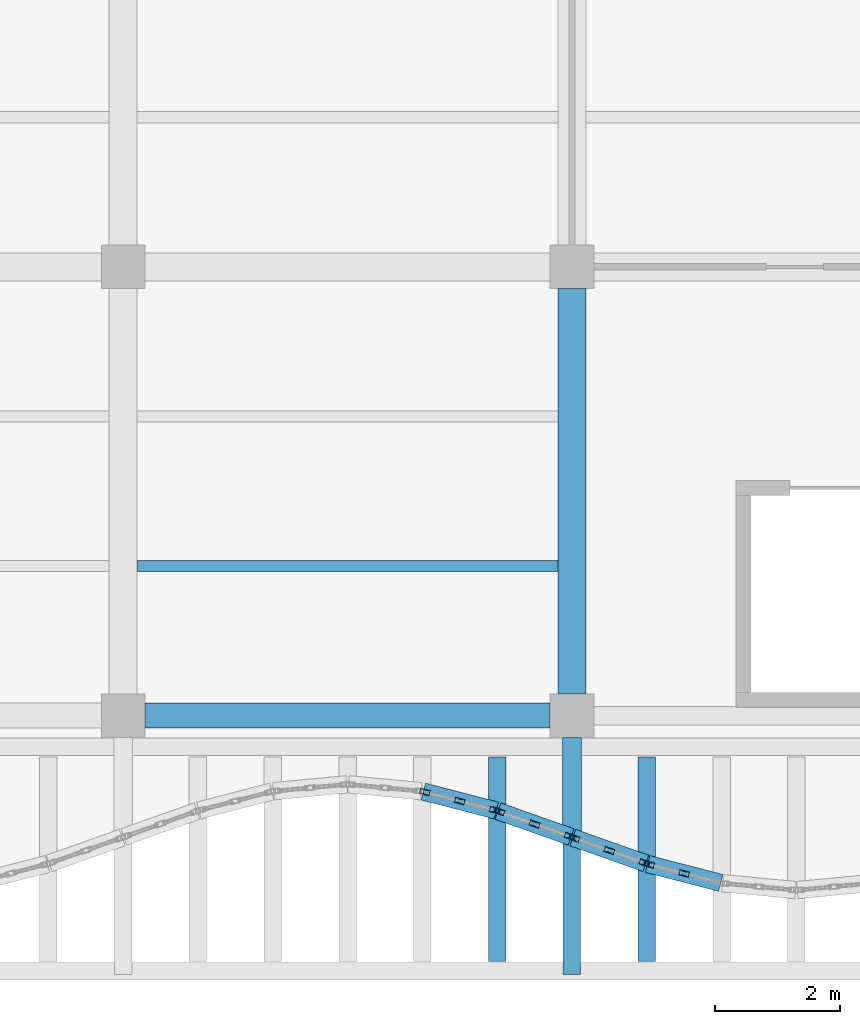
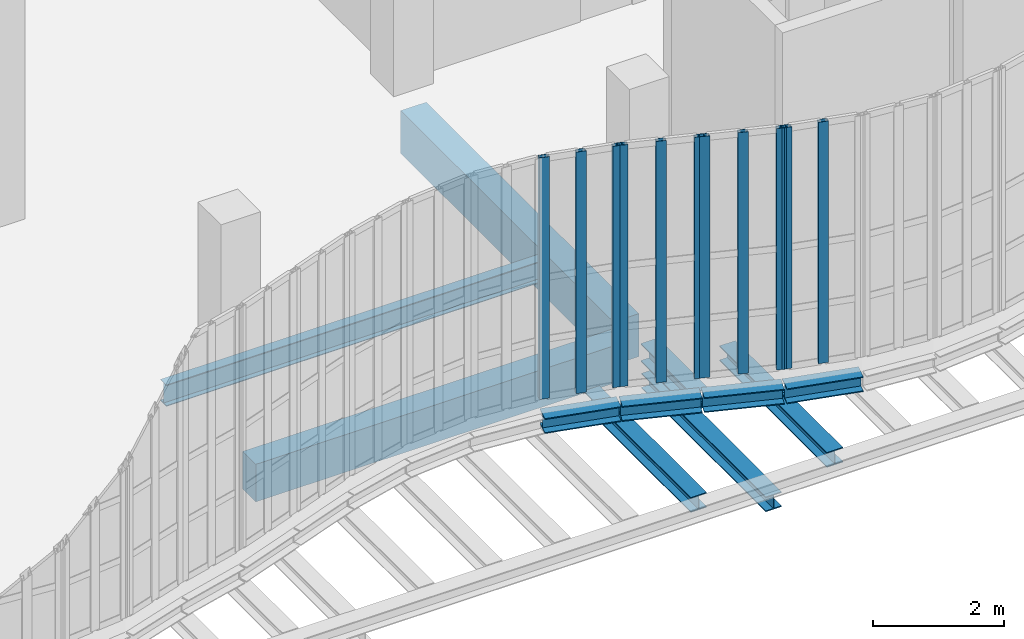
# One storey, part 34 of 108: 11 beams, 11 members, 4 elements without a shape of their own.
"""IFC4 building model written with IfcOpenShell, lengths in metres."""

from ifc_helpers import new_model, si_unit, direction, frame, origin, origin_2d, place, context, subcontext, project, spatial, rectangle, hollow_rectangle, i_section, extrude, material, layer, layer_set, material_profile, profile_set, type_object, element, aggregate, save


model = new_model("IFC4")

# Units and contexts
model_context = context("Model", 3, precision=1e-05, world=origin(), true_north=direction((0.0, 1.0)))
body_context = subcontext(model_context, "Body", "Model", "MODEL_VIEW")
ifc_project = project(units=[si_unit("LENGTHUNIT", "METRE"), si_unit("AREAUNIT", "SQUARE_METRE"), si_unit("VOLUMEUNIT", "CUBIC_METRE"), si_unit("PLANEANGLEUNIT", "RADIAN"), si_unit("MASSUNIT", "GRAM", prefix="KILO"), si_unit("THERMODYNAMICTEMPERATUREUNIT", "KELVIN"), si_unit("POWERUNIT", "WATT")], contexts=[model_context])

# Site, building, storey
site_placement = place(None, origin())
site = spatial("IfcSite", under=ifc_project, at=site_placement, CompositionType="ELEMENT")
building_placement = place(site_placement, origin())
building = spatial("IfcBuilding", under=site, at=building_placement, Name="Kaldorven Railside Theatre", CompositionType="ELEMENT")
storey_placement = place(building_placement, frame((0.0, 0.0, 5.39990234375)))
storey = spatial("IfcBuildingStorey", under=building, at=storey_placement, Name="L01", CompositionType="ELEMENT", Elevation=5.39990234375)

# Beams
ifc_material_1 = material(Name="Steel S355", Category="steel")
ifc_material_profile_1 = material_profile(ifc_material_1, i_section(OverallWidth=0.280029296875, OverallDepth=0.280029296875, WebThickness=0.010498046875, FlangeThickness=0.01806640625, at=origin_2d()), Name="HEB 280")
ifc_profile_set_1 = profile_set([ifc_material_profile_1], Name="Steel S355")
beam_type_1 = type_object("IfcBeamType", Name="BM-HEB280", PredefinedType="SPANDREL", material=ifc_profile_set_1)
beam_1_placement = place(storey_placement, frame((101.60009765625, 15.050048828125, -1.0), z_axis=(0.0, 1.0, 0.0), x_axis=(-1.0, 0.0, 0.0)))
element("IfcBeam", 1, at=beam_1_placement, inside=storey, type_object=beam_type_1, Name="L01 Sinusoidal Lower Cantilever Girder FOB-K009", PredefinedType="SPANDREL", context=body_context, shape_type="SweptSolid", body=[
    extrude(i_section(OverallWidth=0.280029296875, OverallDepth=0.280029296875, WebThickness=0.010498046875, FlangeThickness=0.01806640625, at=origin_2d()), origin(), (0.0, 0.0, 1.0), 3.800048828125),
])
beam_2_placement = place(storey_placement, frame((99.214599609375, 17.982421875, -0.43994140625), z_axis=(0.967967836725, -0.251074226206, 0.0), x_axis=(0.251074226206, 0.967967836725, 0.0)))
element("IfcBeam", 2, at=beam_2_placement, inside=storey, type_object=beam_type_1, Name="L01 Sinusoidal Flute Edge Spandrel FSB-053", PredefinedType="SPANDREL", context=body_context, shape_type="SweptSolid", body=[
    extrude(i_section(OverallWidth=0.280029296875, OverallDepth=0.280029296875, WebThickness=0.010498046875, FlangeThickness=0.01806640625, at=origin_2d()), origin(), (0.0, 0.0, 1.0), 1.209716796875),
])
beam_3_placement = place(storey_placement, frame((100.4140625, 17.669921875, -0.43994140625), z_axis=(0.942627225161, -0.333847142245, 0.0), x_axis=(0.333847142245, 0.942627225161, 0.0)))
element("IfcBeam", 3, at=beam_3_placement, inside=storey, type_object=beam_type_1, Name="L01 Sinusoidal Flute Edge Spandrel FSB-054", PredefinedType="SPANDREL", context=body_context, shape_type="SweptSolid", body=[
    extrude(i_section(OverallWidth=0.280029296875, OverallDepth=0.280029296875, WebThickness=0.010498046875, FlangeThickness=0.01806640625, at=origin_2d()), origin(), (0.0, 0.0, 1.0), 1.2431640625),
])
beam_4_placement = place(storey_placement, frame((100.39990234375, 15.260009765625, -0.719970703125), z_axis=(0.0, 1.0, 0.0), x_axis=(-1.0, 0.0, 0.0)))
element("IfcBeam", 4, at=beam_4_placement, inside=storey, type_object=beam_type_1, Name="L01 Sinusoidal Diaphragm Rib Outrigger FOB-M054", PredefinedType="SPANDREL", context=body_context, shape_type="SweptSolid", body=[
    extrude(i_section(OverallWidth=0.280029296875, OverallDepth=0.280029296875, WebThickness=0.010498046875, FlangeThickness=0.01806640625, at=origin_2d()), origin(), (0.0, 0.0, 1.0), 3.280029296875),
])
beam_5_placement = place(storey_placement, frame((101.614013671875, 17.2451171875, -0.43994140625), z_axis=(0.942627225161, -0.333847142245, 0.0), x_axis=(0.333847142245, 0.942627225161, 0.0)))
element("IfcBeam", 5, at=beam_5_placement, inside=storey, type_object=beam_type_1, Name="L01 Sinusoidal Flute Edge Spandrel FSB-055", PredefinedType="SPANDREL", context=body_context, shape_type="SweptSolid", body=[
    extrude(i_section(OverallWidth=0.280029296875, OverallDepth=0.280029296875, WebThickness=0.010498046875, FlangeThickness=0.01806640625, at=origin_2d()), origin(), (0.0, 0.0, 1.0), 1.2431640625),
])
beam_6_placement = place(storey_placement, frame((102.814453125, 16.8212890625, -0.43994140625), z_axis=(0.967980555895, -0.25102518481, 0.0), x_axis=(0.25102518481, 0.967980555895, 0.0)))
element("IfcBeam", 6, at=beam_6_placement, inside=storey, type_object=beam_type_1, Name="L01 Sinusoidal Flute Edge Spandrel FSB-056", PredefinedType="SPANDREL", context=body_context, shape_type="SweptSolid", body=[
    extrude(i_section(OverallWidth=0.280029296875, OverallDepth=0.280029296875, WebThickness=0.010498046875, FlangeThickness=0.01806640625, at=origin_2d()), origin(), (0.0, 0.0, 1.0), 1.2099609375),
])
beam_7_placement = place(storey_placement, frame((102.800048828125, 15.260009765625, -0.719970703125), z_axis=(0.0, 1.0, 0.0), x_axis=(-1.0, 0.0, 0.0)))
element("IfcBeam", 7, at=beam_7_placement, inside=storey, type_object=beam_type_1, Name="L01 Sinusoidal Diaphragm Rib Outrigger FOB-M056", PredefinedType="SPANDREL", context=body_context, shape_type="SweptSolid", body=[
    extrude(i_section(OverallWidth=0.280029296875, OverallDepth=0.280029296875, WebThickness=0.010498046875, FlangeThickness=0.01806640625, at=origin_2d()), origin(), (0.0, 0.0, 1.0), 3.280029296875),
])
ifc_material_profile_2 = material_profile(ifc_material_1, i_section(OverallWidth=0.300048828125, OverallDepth=0.340087890625, WebThickness=0.011962890625, FlangeThickness=0.021484375, at=origin_2d()), Name="HEB 340")
ifc_profile_set_2 = profile_set([ifc_material_profile_2], Name="Steel S355")
beam_type_2 = type_object("IfcBeamType", Name="BM-HEB340", PredefinedType="SPANDREL", material=ifc_profile_set_2)
beam_8_placement = place(storey_placement, frame((101.60009765625, 17.31005859375, -0.469970703125), z_axis=(0.0, 1.0, 0.0), x_axis=(-1.0, 0.0, 0.0)))
element("IfcBeam", 8, at=beam_8_placement, inside=storey, type_object=beam_type_2, Name="L01 Sinusoidal Veil Outrigger FOB-1101", PredefinedType="SPANDREL", context=body_context, shape_type="SweptSolid", body=[
    extrude(i_section(OverallWidth=0.300048828125, OverallDepth=0.340087890625, WebThickness=0.011962890625, FlangeThickness=0.021484375, at=origin_2d()), origin(), (0.0, 0.0, 1.0), 1.5400390625),
])
ifc_material_profile_3 = material_profile(ifc_material_1, i_section(OverallWidth=0.179931640625, OverallDepth=0.39990234375, WebThickness=0.008544921875, FlangeThickness=0.013427734375, at=origin_2d()), Name="IPE 400")
ifc_profile_set_3 = profile_set([ifc_material_profile_3], Name="Steel S355")
beam_type_3 = type_object("IfcBeamType", Name="BM-IPE400", PredefinedType="JOIST", material=ifc_profile_set_3)
beam_9_placement = place(storey_placement, frame((94.625, 21.60009765625, -0.5), z_axis=(1.0, 0.0, 0.0), x_axis=(0.0, 1.0, 0.0)))
element("IfcBeam", 9, at=beam_9_placement, inside=storey, type_object=beam_type_3, Name="L01 Secondary Floor Joist JG-L01-094-0216", PredefinedType="JOIST", context=body_context, shape_type="SweptSolid", body=[
    extrude(i_section(OverallWidth=0.179931640625, OverallDepth=0.39990234375, WebThickness=0.008544921875, FlangeThickness=0.013427734375, at=origin_2d()), origin(), (0.0, 0.0, 1.0), 6.75),
])
ifc_material_2 = material(Name="Concrete C40/50", Category="concrete")
ifc_material_profile_4 = material_profile(ifc_material_2, rectangle(XDim=0.39990234375, YDim=0.699951171875, at=origin_2d()), Name="RC 400x700")
ifc_profile_set_4 = profile_set([ifc_material_profile_4], Name="Concrete C40/50")
beam_type_4 = type_object("IfcBeamType", Name="BM-RC400x700", PredefinedType="BEAM", material=ifc_profile_set_4)
beam_10_placement = place(storey_placement, frame((94.75, 19.199951171875, -0.64990234375), z_axis=(1.0, 0.0, 0.0), x_axis=(0.0, 1.0, 0.0)))
element("IfcBeam", 10, at=beam_10_placement, inside=storey, type_object=beam_type_4, Name="L01 Girder BGX-L01-094-019", PredefinedType="BEAM", context=body_context, shape_type="SweptSolid", body=[
    extrude(rectangle(XDim=0.39990234375, YDim=0.699951171875, at=origin_2d()), origin(), (0.0, 0.0, 1.0), 6.5),
])
ifc_material_profile_5 = material_profile(ifc_material_2, rectangle(XDim=0.449951171875, YDim=0.800048828125, at=origin_2d()), Name="RC 450x800")
ifc_profile_set_5 = profile_set([ifc_material_profile_5], Name="Concrete C40/50")
beam_type_5 = type_object("IfcBeamType", Name="BM-RC450x800", PredefinedType="BEAM", material=ifc_profile_set_5)
beam_11_placement = place(storey_placement, frame((101.60009765625, 19.550048828125, -0.699951171875), z_axis=(0.0, 1.0, 0.0), x_axis=(-1.0, 0.0, 0.0)))
element("IfcBeam", 11, at=beam_11_placement, inside=storey, type_object=beam_type_5, Name="L01 Girder BGY-L01-101-019-72", PredefinedType="BEAM", context=body_context, shape_type="SweptSolid", body=[
    extrude(rectangle(XDim=0.449951171875, YDim=0.800048828125, at=origin_2d()), origin(), (0.0, 0.0, 1.0), 6.5),
])

# Curtain wall, members
ifc_material_3 = material(Name="Low-E laminated solar-control glass", Category="glass")
ifc_layer_1 = layer(ifc_material_3, 0.159912109375, Name="Low-E laminated solar-control glass")
ifc_layer_set_1 = layer_set([ifc_layer_1], Name="Low-E laminated solar-control glass")
curtain_wall_type_1 = type_object("IfcCurtainWallType", Name="CWT-02", PredefinedType="USERDEFINED", material=ifc_layer_set_1)
curtain_wall_1_placement = place(storey_placement, origin())
curtain_wall_1 = element("IfcCurtainWall", 12, at=curtain_wall_1_placement, inside=storey, type_object=curtain_wall_type_1, Name="Sinusoidal Fluted Curtain Wall CW-L01-S53", ObjectType="FLUTED GLAZING", PredefinedType="USERDEFINED")
ifc_material_4 = material(Name="Anodised bronze aluminium", Category="aluminium")
ifc_material_profile_6 = material_profile(ifc_material_4, hollow_rectangle(XDim=0.080078125, YDim=0.159912109375, WallThickness=0.00634765625, at=origin_2d()), Name="RHS 160x80x6.3")
ifc_profile_set_6 = profile_set([ifc_material_profile_6], Name="Anodised bronze aluminium")
member_type = type_object("IfcMemberType", Name="CWM-160", PredefinedType="MULLION", material=ifc_profile_set_6)
member_1_placement = place(storey_placement, frame((99.23876953125, 17.97607421875, 0.0), z_axis=(0.0, 0.0, 1.0), x_axis=(0.250953760326, 0.967999075505, 0.0)))
member_1 = element("IfcMember", 13, at=member_1_placement, type_object=member_type, Name="CW-L01-S53 mullion 1", PredefinedType="MULLION", context=body_context, shape_type="SweptSolid", body=[
    extrude(hollow_rectangle(XDim=0.080078125, YDim=0.159912109375, WallThickness=0.00634765625, at=origin_2d()), origin(), (0.0, 0.0, 1.0), 4.5),
])
member_2_placement = place(storey_placement, frame((99.800048828125, 17.83056640625, 0.0), z_axis=(0.0, 0.0, 1.0), x_axis=(0.250953760326, 0.967999075505, 0.0)))
member_2 = element("IfcMember", 14, at=member_2_placement, type_object=member_type, Name="CW-L01-S53 mullion 2", PredefinedType="MULLION", context=body_context, shape_type="SweptSolid", body=[
    extrude(hollow_rectangle(XDim=0.080078125, YDim=0.159912109375, WallThickness=0.00634765625, at=origin_2d()), origin(), (0.0, 0.0, 1.0), 4.5),
])
member_3_placement = place(storey_placement, frame((100.361328125, 17.68505859375, 0.0), z_axis=(0.0, 0.0, 1.0), x_axis=(0.250953760326, 0.967999075505, 0.0)))
member_3 = element("IfcMember", 15, at=member_3_placement, type_object=member_type, Name="CW-L01-S53 mullion 3", PredefinedType="MULLION", context=body_context, shape_type="SweptSolid", body=[
    extrude(hollow_rectangle(XDim=0.080078125, YDim=0.159912109375, WallThickness=0.00634765625, at=origin_2d()), origin(), (0.0, 0.0, 1.0), 4.5),
])
aggregate(curtain_wall_1, [member_1, member_2, member_3])

ifc_layer_2 = layer(ifc_material_3, 0.159912109375, Name="Low-E laminated solar-control glass")
ifc_layer_set_2 = layer_set([ifc_layer_2], Name="Low-E laminated solar-control glass")
curtain_wall_type_2 = type_object("IfcCurtainWallType", Name="CWT-01", PredefinedType="USERDEFINED", material=ifc_layer_set_2)
curtain_wall_2_placement = place(storey_placement, origin())
curtain_wall_2 = element("IfcCurtainWall", 16, at=curtain_wall_2_placement, inside=storey, type_object=curtain_wall_type_2, Name="Sinusoidal Fluted Curtain Wall CW-L01-S54", ObjectType="FLUTED GLAZING", PredefinedType="USERDEFINED")
member_4_placement = place(storey_placement, frame((100.437744140625, 17.66162109375, 0.0), z_axis=(0.0, 0.0, 1.0), x_axis=(0.33384714225, 0.942627225159, 0.0)))
member_4 = element("IfcMember", 17, at=member_4_placement, type_object=member_type, Name="CW-L01-S54 mullion 1", PredefinedType="MULLION", context=body_context, shape_type="SweptSolid", body=[
    extrude(hollow_rectangle(XDim=0.080078125, YDim=0.159912109375, WallThickness=0.00634765625, at=origin_2d()), origin(), (0.0, 0.0, 1.0), 4.5),
])
member_5_placement = place(storey_placement, frame((101.0, 17.46240234375, 0.0), z_axis=(0.0, 0.0, 1.0), x_axis=(0.33384714225, 0.942627225159, 0.0)))
member_5 = element("IfcMember", 18, at=member_5_placement, type_object=member_type, Name="CW-L01-S54 mullion 2", PredefinedType="MULLION", context=body_context, shape_type="SweptSolid", body=[
    extrude(hollow_rectangle(XDim=0.080078125, YDim=0.159912109375, WallThickness=0.00634765625, at=origin_2d()), origin(), (0.0, 0.0, 1.0), 4.5),
])
member_6_placement = place(storey_placement, frame((101.562255859375, 17.263427734375, 0.0), z_axis=(0.0, 0.0, 1.0), x_axis=(0.33384714225, 0.942627225159, 0.0)))
member_6 = element("IfcMember", 19, at=member_6_placement, type_object=member_type, Name="CW-L01-S54 mullion 3", PredefinedType="MULLION", context=body_context, shape_type="SweptSolid", body=[
    extrude(hollow_rectangle(XDim=0.080078125, YDim=0.159912109375, WallThickness=0.00634765625, at=origin_2d()), origin(), (0.0, 0.0, 1.0), 4.5),
])
aggregate(curtain_wall_2, [member_4, member_5, member_6])

curtain_wall_3_placement = place(storey_placement, origin())
curtain_wall_3 = element("IfcCurtainWall", 20, at=curtain_wall_3_placement, inside=storey, type_object=curtain_wall_type_2, Name="Sinusoidal Fluted Curtain Wall CW-L01-S55", ObjectType="FLUTED GLAZING", PredefinedType="USERDEFINED")
member_7_placement = place(storey_placement, frame((101.6376953125, 17.236572265625, 0.0), z_axis=(0.0, 0.0, 1.0), x_axis=(0.33384714225, 0.942627225159, 0.0)))
member_7 = element("IfcMember", 21, at=member_7_placement, type_object=member_type, Name="CW-L01-S55 mullion 1", PredefinedType="MULLION", context=body_context, shape_type="SweptSolid", body=[
    extrude(hollow_rectangle(XDim=0.080078125, YDim=0.159912109375, WallThickness=0.00634765625, at=origin_2d()), origin(), (0.0, 0.0, 1.0), 4.5),
])
member_8_placement = place(storey_placement, frame((102.199951171875, 17.03759765625, 0.0), z_axis=(0.0, 0.0, 1.0), x_axis=(0.33384714225, 0.942627225159, 0.0)))
member_8 = element("IfcMember", 22, at=member_8_placement, type_object=member_type, Name="CW-L01-S55 mullion 2", PredefinedType="MULLION", context=body_context, shape_type="SweptSolid", body=[
    extrude(hollow_rectangle(XDim=0.080078125, YDim=0.159912109375, WallThickness=0.00634765625, at=origin_2d()), origin(), (0.0, 0.0, 1.0), 4.5),
])
member_9_placement = place(storey_placement, frame((102.76220703125, 16.83837890625, 0.0), z_axis=(0.0, 0.0, 1.0), x_axis=(0.33384714225, 0.942627225159, 0.0)))
member_9 = element("IfcMember", 23, at=member_9_placement, type_object=member_type, Name="CW-L01-S55 mullion 3", PredefinedType="MULLION", context=body_context, shape_type="SweptSolid", body=[
    extrude(hollow_rectangle(XDim=0.080078125, YDim=0.159912109375, WallThickness=0.00634765625, at=origin_2d()), origin(), (0.0, 0.0, 1.0), 4.5),
])
aggregate(curtain_wall_3, [member_7, member_8, member_9])

curtain_wall_4_placement = place(storey_placement, origin())
curtain_wall_4 = element("IfcCurtainWall", 24, at=curtain_wall_4_placement, inside=storey, type_object=curtain_wall_type_1, Name="Sinusoidal Fluted Curtain Wall CW-L01-S56", ObjectType="FLUTED GLAZING", PredefinedType="USERDEFINED")
member_10_placement = place(storey_placement, frame((102.838623046875, 16.81494140625, 0.0), z_axis=(0.0, 0.0, 1.0), x_axis=(0.250953760326, 0.967999075505, 0.0)))
member_10 = element("IfcMember", 25, at=member_10_placement, type_object=member_type, Name="CW-L01-S56 mullion 1", PredefinedType="MULLION", context=body_context, shape_type="SweptSolid", body=[
    extrude(hollow_rectangle(XDim=0.080078125, YDim=0.159912109375, WallThickness=0.00634765625, at=origin_2d()), origin(), (0.0, 0.0, 1.0), 4.5),
])
member_11_placement = place(storey_placement, frame((103.39990234375, 16.66943359375, 0.0), z_axis=(0.0, 0.0, 1.0), x_axis=(0.250953760326, 0.967999075505, 0.0)))
member_11 = element("IfcMember", 26, at=member_11_placement, type_object=member_type, Name="CW-L01-S56 mullion 2", PredefinedType="MULLION", context=body_context, shape_type="SweptSolid", body=[
    extrude(hollow_rectangle(XDim=0.080078125, YDim=0.159912109375, WallThickness=0.00634765625, at=origin_2d()), origin(), (0.0, 0.0, 1.0), 4.5),
])
aggregate(curtain_wall_4, [member_10, member_11])

save(model, "model.ifc")
